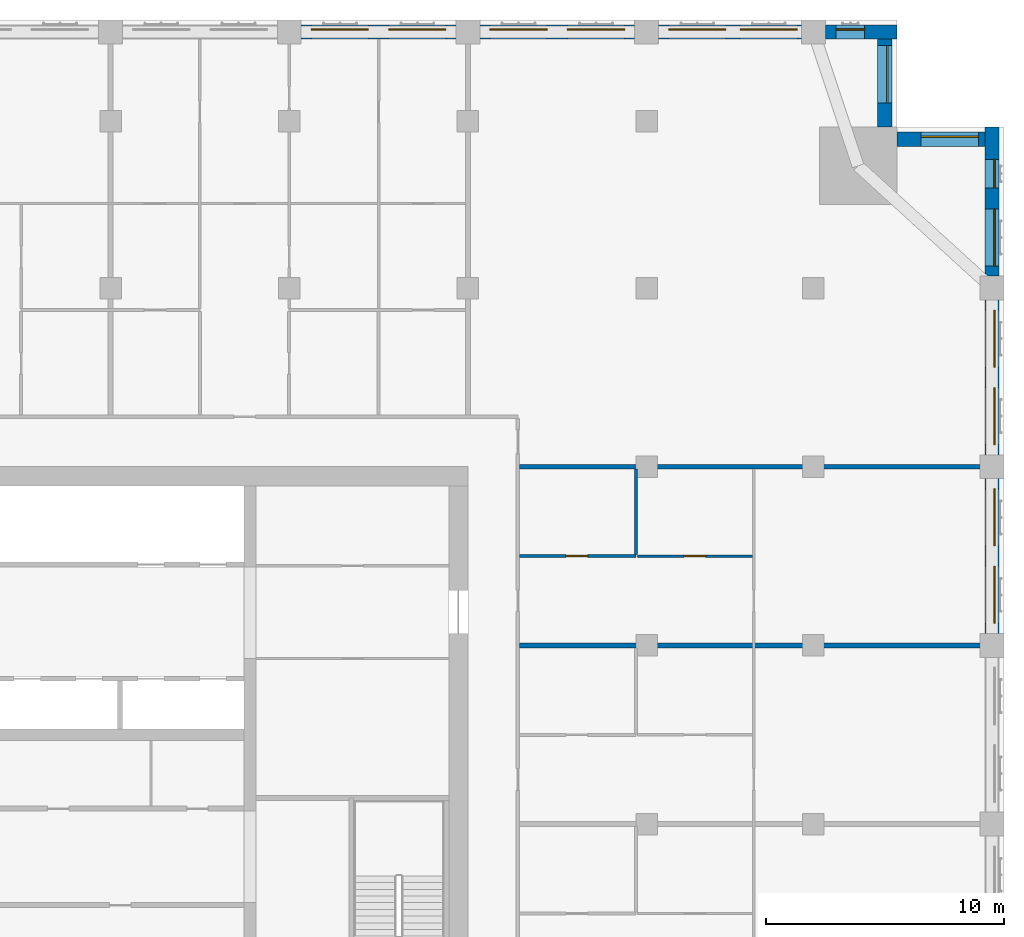
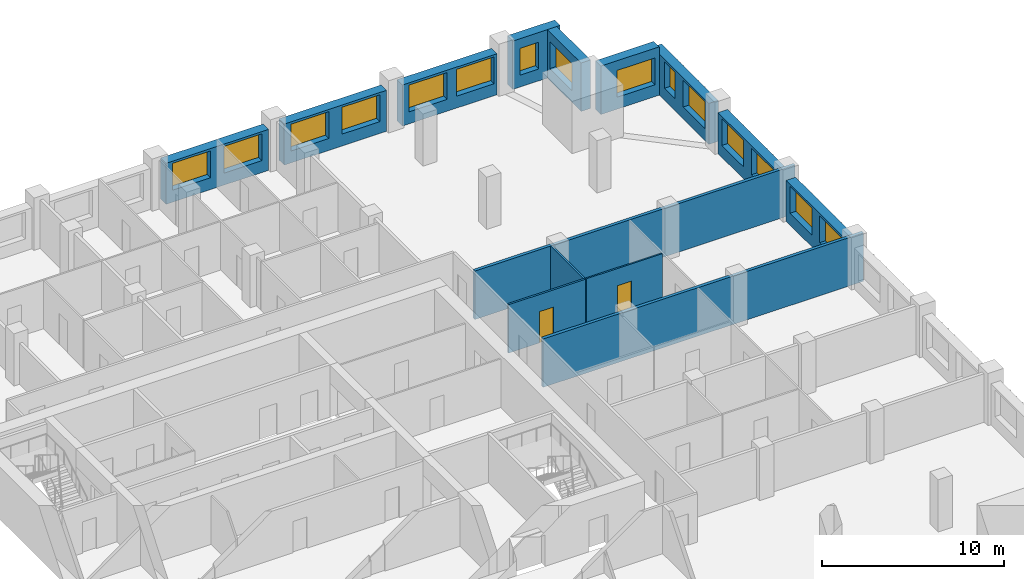
# One storey, part 11 of 14: 15 windows, 14 walls, 2 doors, 17 openings.
"""IFC4 building model written with IfcOpenShell, lengths in metres."""

from ifc_helpers import new_model, si_unit, direction, frame, frame_2d, origin, place, context, subcontext, project, spatial, rectangle, extrude, material, layer, layer_set, type_object, element, fill, save


model = new_model("IFC4")

# Units and contexts
model_context = context("Model", 3, precision=1e-05, world=origin(), true_north=direction((0.0, 1.0)))
body_context = subcontext(model_context, "Body", "Model", "MODEL_VIEW")
ifc_project = project(units=[si_unit("LENGTHUNIT", "METRE"), si_unit("AREAUNIT", "SQUARE_METRE"), si_unit("VOLUMEUNIT", "CUBIC_METRE"), si_unit("PLANEANGLEUNIT", "RADIAN"), si_unit("MASSUNIT", "GRAM", prefix="KILO")], contexts=[model_context])

# Site, building, storey
site_placement = place(None, origin())
site = spatial("IfcSite", under=ifc_project, at=site_placement, CompositionType="ELEMENT")
building_placement = place(site_placement, origin())
building = spatial("IfcBuilding", under=site, at=building_placement, Name="Tamorin Gate", CompositionType="ELEMENT")
storey_placement = place(building_placement, frame((0.0, 0.0, 189.699951171875)))
storey = spatial("IfcBuildingStorey", under=building, at=storey_placement, Name="L46", CompositionType="ELEMENT", Elevation=189.699951171875)

# Wall, openings, windows
ifc_material_1 = material(Name="Precast concrete C40/50", Category="concrete")
ifc_layer_1 = layer(ifc_material_1, 0.60009765625)
ifc_layer_set_1 = layer_set([ifc_layer_1], Name="Precast concrete C40/50")
wall_type_1 = type_object("IfcWallType", Name="Board-marked concrete facade panel 600", PredefinedType="SOLIDWALL", material=ifc_layer_set_1)
wall_1_placement = place(storey_placement, frame((82.0, 75.5, 0.0), z_axis=(0.0, 0.0, 1.0), x_axis=(0.0, 1.0, 0.0)))
wall_1 = element("IfcWall", 1, at=wall_1_placement, inside=storey, type_object=wall_type_1, Name="Facade panel", PredefinedType="SOLIDWALL", context=body_context, shape_type="SweptSolid", body=[
    extrude(rectangle(XDim=6.5, YDim=0.60009765625, at=frame_2d((3.25, 0.0))), origin(), (0.0, 0.0, 1.0), 2.75),
])
opening_1_placement = place(wall_1_placement, frame((0.425048828125, 0.0, 0.800048828125)))
opening_1 = element("IfcOpeningElement", 2, at=opening_1_placement, cuts=wall_1, Name="Opening WN1", PredefinedType="OPENING", context=body_context, shape_type="SweptSolid", body=[
    extrude(rectangle(XDim=2.39990234375, YDim=1.800048828125, at=frame_2d((1.199951171875, 0.89990234375))), frame((0.0, 0.31005859375, 0.0), z_axis=(0.0, -1.0, 0.0), x_axis=(1.0, 0.0, 0.0)), (0.0, 0.0, 1.0), 0.6201171875),
])
opening_2_placement = place(wall_1_placement, frame((3.675048828125, 0.0, 0.800048828125)))
opening_2 = element("IfcOpeningElement", 3, at=opening_2_placement, cuts=wall_1, Name="Opening WN1", PredefinedType="OPENING", context=body_context, shape_type="SweptSolid", body=[
    extrude(rectangle(XDim=2.39990234375, YDim=1.800048828125, at=frame_2d((1.199951171875, 0.89990234375))), frame((0.0, 0.31005859375, 0.0), z_axis=(0.0, -1.0, 0.0), x_axis=(1.0, 0.0, 0.0)), (0.0, 0.0, 1.0), 0.6201171875),
])
ifc_material_2 = material(Name="Clear glass in aluminium frame", Category="aluminium")
window_type_1 = type_object("IfcWindowType", Name="Deep-set window 2400x1800", PartitioningType="SINGLE_PANEL", PredefinedType="WINDOW", material=ifc_material_2)
window_1_placement = place(opening_1_placement, origin())
window_1 = element("IfcWindow", 4, at=window_1_placement, inside=storey, type_object=window_type_1, Name="Deep-set window", OverallHeight=1.800048828125, OverallWidth=2.39990234375, PartitioningType="SINGLE_PANEL", PredefinedType="WINDOW", context=body_context, shape_type="SweptSolid", body=[
    extrude(rectangle(XDim=2.39990234375, YDim=1.800048828125, at=frame_2d((1.199951171875, 0.89990234375))), frame((0.0, -0.070068359375, 0.0), z_axis=(0.0, -1.0, 0.0), x_axis=(1.0, 0.0, 0.0)), (0.0, 0.0, 1.0), 0.06005859375),
])
fill(opening_1, window_1)
window_2_placement = place(opening_2_placement, origin())
window_2 = element("IfcWindow", 5, at=window_2_placement, inside=storey, type_object=window_type_1, Name="Deep-set window", OverallHeight=1.800048828125, OverallWidth=2.39990234375, PartitioningType="SINGLE_PANEL", PredefinedType="WINDOW", context=body_context, shape_type="SweptSolid", body=[
    extrude(rectangle(XDim=2.39990234375, YDim=1.800048828125, at=frame_2d((1.199951171875, 0.89990234375))), frame((0.0, -0.070068359375, 0.0), z_axis=(0.0, -1.0, 0.0), x_axis=(1.0, 0.0, 0.0)), (0.0, 0.0, 1.0), 0.06005859375),
])
fill(opening_2, window_2)

wall_2_placement = place(storey_placement, frame((82.0, 83.0, 0.0), z_axis=(0.0, 0.0, 1.0), x_axis=(0.0, 1.0, 0.0)))
wall_2 = element("IfcWall", 6, at=wall_2_placement, inside=storey, type_object=wall_type_1, Name="Facade panel", PredefinedType="SOLIDWALL", context=body_context, shape_type="SweptSolid", body=[
    extrude(rectangle(XDim=6.5, YDim=0.60009765625, at=frame_2d((3.25, 0.0))), origin(), (0.0, 0.0, 1.0), 2.75),
])
opening_3_placement = place(wall_2_placement, frame((0.425048828125, 0.0, 0.800048828125)))
opening_3 = element("IfcOpeningElement", 7, at=opening_3_placement, cuts=wall_2, Name="Opening WN1", PredefinedType="OPENING", context=body_context, shape_type="SweptSolid", body=[
    extrude(rectangle(XDim=2.39990234375, YDim=1.800048828125, at=frame_2d((1.199951171875, 0.89990234375))), frame((0.0, 0.31005859375, 0.0), z_axis=(0.0, -1.0, 0.0), x_axis=(1.0, 0.0, 0.0)), (0.0, 0.0, 1.0), 0.6201171875),
])
opening_4_placement = place(wall_2_placement, frame((3.675048828125, 0.0, 0.800048828125)))
opening_4 = element("IfcOpeningElement", 8, at=opening_4_placement, cuts=wall_2, Name="Opening WN1", PredefinedType="OPENING", context=body_context, shape_type="SweptSolid", body=[
    extrude(rectangle(XDim=2.39990234375, YDim=1.800048828125, at=frame_2d((1.199951171875, 0.89990234375))), frame((0.0, 0.31005859375, 0.0), z_axis=(0.0, -1.0, 0.0), x_axis=(1.0, 0.0, 0.0)), (0.0, 0.0, 1.0), 0.6201171875),
])
window_3_placement = place(opening_3_placement, origin())
window_3 = element("IfcWindow", 9, at=window_3_placement, inside=storey, type_object=window_type_1, Name="Deep-set window", OverallHeight=1.800048828125, OverallWidth=2.39990234375, PartitioningType="SINGLE_PANEL", PredefinedType="WINDOW", context=body_context, shape_type="SweptSolid", body=[
    extrude(rectangle(XDim=2.39990234375, YDim=1.800048828125, at=frame_2d((1.199951171875, 0.89990234375))), frame((0.0, -0.070068359375, 0.0), z_axis=(0.0, -1.0, 0.0), x_axis=(1.0, 0.0, 0.0)), (0.0, 0.0, 1.0), 0.06005859375),
])
fill(opening_3, window_3)
window_4_placement = place(opening_4_placement, origin())
window_4 = element("IfcWindow", 10, at=window_4_placement, inside=storey, type_object=window_type_1, Name="Deep-set window", OverallHeight=1.800048828125, OverallWidth=2.39990234375, PartitioningType="SINGLE_PANEL", PredefinedType="WINDOW", context=body_context, shape_type="SweptSolid", body=[
    extrude(rectangle(XDim=2.39990234375, YDim=1.800048828125, at=frame_2d((1.199951171875, 0.89990234375))), frame((0.0, -0.070068359375, 0.0), z_axis=(0.0, -1.0, 0.0), x_axis=(1.0, 0.0, 0.0)), (0.0, 0.0, 1.0), 0.06005859375),
])
fill(opening_4, window_4)

wall_3_placement = place(storey_placement, frame((82.0, 90.5, 0.0), z_axis=(0.0, 0.0, 1.0), x_axis=(0.0, 1.0, 0.0)))
wall_3 = element("IfcWall", 11, at=wall_3_placement, inside=storey, type_object=wall_type_1, Name="Facade panel", PredefinedType="SOLIDWALL", context=body_context, shape_type="SweptSolid", body=[
    extrude(rectangle(XDim=6.25, YDim=0.60009765625, at=frame_2d((3.125, 0.0))), origin(), (0.0, 0.0, 1.0), 2.75),
])
opening_5_placement = place(wall_3_placement, frame((0.425048828125, 0.0, 0.800048828125)))
opening_5 = element("IfcOpeningElement", 12, at=opening_5_placement, cuts=wall_3, Name="Opening WN1", PredefinedType="OPENING", context=body_context, shape_type="SweptSolid", body=[
    extrude(rectangle(XDim=2.39990234375, YDim=1.800048828125, at=frame_2d((1.199951171875, 0.89990234375))), frame((0.0, 0.31005859375, 0.0), z_axis=(0.0, -1.0, 0.0), x_axis=(1.0, 0.0, 0.0)), (0.0, 0.0, 1.0), 0.6201171875),
])
opening_6_placement = place(wall_3_placement, frame((3.699951171875, 0.0, 0.800048828125)))
opening_6 = element("IfcOpeningElement", 13, at=opening_6_placement, cuts=wall_3, Name="Opening WN3", PredefinedType="OPENING", context=body_context, shape_type="SweptSolid", body=[
    extrude(rectangle(XDim=1.199951171875, YDim=1.800048828125, at=frame_2d((0.60009765625, 0.89990234375))), frame((0.0, 0.31005859375, 0.0), z_axis=(0.0, -1.0, 0.0), x_axis=(1.0, 0.0, 0.0)), (0.0, 0.0, 1.0), 0.6201171875),
])
window_type_2 = type_object("IfcWindowType", Name="Deep-set window 1200x1800", PartitioningType="SINGLE_PANEL", PredefinedType="WINDOW", material=ifc_material_2)
window_5_placement = place(opening_6_placement, origin())
window_5 = element("IfcWindow", 14, at=window_5_placement, inside=storey, type_object=window_type_2, Name="Deep-set window", OverallHeight=1.800048828125, OverallWidth=1.199951171875, PartitioningType="SINGLE_PANEL", PredefinedType="WINDOW", context=body_context, shape_type="SweptSolid", body=[
    extrude(rectangle(XDim=1.199951171875, YDim=1.800048828125, at=frame_2d((0.60009765625, 0.89990234375))), frame((0.0, -0.070068359375, 0.0), z_axis=(0.0, -1.0, 0.0), x_axis=(1.0, 0.0, 0.0)), (0.0, 0.0, 1.0), 0.06005859375),
])
fill(opening_6, window_5)
window_6_placement = place(opening_5_placement, origin())
window_6 = element("IfcWindow", 15, at=window_6_placement, inside=storey, type_object=window_type_1, Name="Deep-set window", OverallHeight=1.800048828125, OverallWidth=2.39990234375, PartitioningType="SINGLE_PANEL", PredefinedType="WINDOW", context=body_context, shape_type="SweptSolid", body=[
    extrude(rectangle(XDim=2.39990234375, YDim=1.800048828125, at=frame_2d((1.199951171875, 0.89990234375))), frame((0.0, -0.070068359375, 0.0), z_axis=(0.0, -1.0, 0.0), x_axis=(1.0, 0.0, 0.0)), (0.0, 0.0, 1.0), 0.06005859375),
])
fill(opening_5, window_6)

# Wall, opening, window
wall_4_placement = place(storey_placement, frame((81.699951171875, 96.25, 0.0), z_axis=(0.0, 0.0, 1.0), x_axis=(-1.0, 0.0, 0.0)))
wall_4 = element("IfcWall", 16, at=wall_4_placement, inside=storey, type_object=wall_type_1, Name="Facade panel", PredefinedType="SOLIDWALL", context=body_context, shape_type="SweptSolid", body=[
    extrude(rectangle(XDim=3.699951171875, YDim=0.60009765625, at=frame_2d((1.85009765625, 0.0))), origin(), (0.0, 0.0, 1.0), 3.25),
])
opening_7_placement = place(wall_4_placement, frame((0.27490234375, 0.0, 0.800048828125)))
opening_7 = element("IfcOpeningElement", 17, at=opening_7_placement, cuts=wall_4, Name="Opening WN1", PredefinedType="OPENING", context=body_context, shape_type="SweptSolid", body=[
    extrude(rectangle(XDim=2.39990234375, YDim=1.800048828125, at=frame_2d((1.199951171875, 0.89990234375))), frame((0.0, 0.31005859375, 0.0), z_axis=(0.0, -1.0, 0.0), x_axis=(1.0, 0.0, 0.0)), (0.0, 0.0, 1.0), 0.6201171875),
])
window_7_placement = place(opening_7_placement, origin())
window_7 = element("IfcWindow", 18, at=window_7_placement, inside=storey, type_object=window_type_1, Name="Deep-set window", OverallHeight=1.800048828125, OverallWidth=2.39990234375, PartitioningType="SINGLE_PANEL", PredefinedType="WINDOW", context=body_context, shape_type="SweptSolid", body=[
    extrude(rectangle(XDim=2.39990234375, YDim=1.800048828125, at=frame_2d((1.199951171875, 0.89990234375))), frame((0.0, -0.070068359375, 0.0), z_axis=(0.0, -1.0, 0.0), x_axis=(1.0, 0.0, 0.0)), (0.0, 0.0, 1.0), 0.06005859375),
])
fill(opening_7, window_7)

wall_5_placement = place(storey_placement, frame((77.5, 96.75, 0.0), z_axis=(0.0, 0.0, 1.0), x_axis=(0.0, 1.0, 0.0)))
wall_5 = element("IfcWall", 19, at=wall_5_placement, inside=storey, type_object=wall_type_1, Name="Facade panel", PredefinedType="SOLIDWALL", context=body_context, shape_type="SweptSolid", body=[
    extrude(rectangle(XDim=3.699951171875, YDim=0.60009765625, at=frame_2d((1.85009765625, 0.0))), origin(), (0.0, 0.0, 1.0), 3.25),
])
opening_8_placement = place(wall_5_placement, frame((1.02490234375, 0.0, 0.800048828125)))
opening_8 = element("IfcOpeningElement", 20, at=opening_8_placement, cuts=wall_5, Name="Opening WN1", PredefinedType="OPENING", context=body_context, shape_type="SweptSolid", body=[
    extrude(rectangle(XDim=2.39990234375, YDim=1.800048828125, at=frame_2d((1.199951171875, 0.89990234375))), frame((0.0, 0.31005859375, 0.0), z_axis=(0.0, -1.0, 0.0), x_axis=(1.0, 0.0, 0.0)), (0.0, 0.0, 1.0), 0.6201171875),
])
window_8_placement = place(opening_8_placement, origin())
window_8 = element("IfcWindow", 21, at=window_8_placement, inside=storey, type_object=window_type_1, Name="Deep-set window", OverallHeight=1.800048828125, OverallWidth=2.39990234375, PartitioningType="SINGLE_PANEL", PredefinedType="WINDOW", context=body_context, shape_type="SweptSolid", body=[
    extrude(rectangle(XDim=2.39990234375, YDim=1.800048828125, at=frame_2d((1.199951171875, 0.89990234375))), frame((0.0, -0.070068359375, 0.0), z_axis=(0.0, -1.0, 0.0), x_axis=(1.0, 0.0, 0.0)), (0.0, 0.0, 1.0), 0.06005859375),
])
fill(opening_8, window_8)

wall_6_placement = place(storey_placement, frame((78.0, 100.75, 0.0), z_axis=(0.0, 0.0, 1.0), x_axis=(-1.0, 0.0, 0.0)))
wall_6 = element("IfcWall", 22, at=wall_6_placement, inside=storey, type_object=wall_type_1, Name="Facade panel", PredefinedType="SOLIDWALL", context=body_context, shape_type="SweptSolid", body=[
    extrude(rectangle(XDim=3.0, YDim=0.60009765625, at=frame_2d((1.5, 0.0))), origin(), (0.0, 0.0, 1.0), 3.25),
])
opening_9_placement = place(wall_6_placement, frame((1.35009765625, 0.0, 0.800048828125)))
opening_9 = element("IfcOpeningElement", 23, at=opening_9_placement, cuts=wall_6, Name="Opening WN3", PredefinedType="OPENING", context=body_context, shape_type="SweptSolid", body=[
    extrude(rectangle(XDim=1.199951171875, YDim=1.800048828125, at=frame_2d((0.60009765625, 0.89990234375))), frame((0.0, 0.31005859375, 0.0), z_axis=(0.0, -1.0, 0.0), x_axis=(1.0, 0.0, 0.0)), (0.0, 0.0, 1.0), 0.6201171875),
])
window_9_placement = place(opening_9_placement, origin())
window_9 = element("IfcWindow", 24, at=window_9_placement, inside=storey, type_object=window_type_2, Name="Deep-set window", OverallHeight=1.800048828125, OverallWidth=1.199951171875, PartitioningType="SINGLE_PANEL", PredefinedType="WINDOW", context=body_context, shape_type="SweptSolid", body=[
    extrude(rectangle(XDim=1.199951171875, YDim=1.800048828125, at=frame_2d((0.60009765625, 0.89990234375))), frame((0.0, -0.070068359375, 0.0), z_axis=(0.0, -1.0, 0.0), x_axis=(1.0, 0.0, 0.0)), (0.0, 0.0, 1.0), 0.06005859375),
])
fill(opening_9, window_9)

# Wall, openings, windows
wall_7_placement = place(storey_placement, frame((74.0, 100.75, 0.0), z_axis=(0.0, 0.0, 1.0), x_axis=(-1.0, 0.0, 0.0)))
wall_7 = element("IfcWall", 25, at=wall_7_placement, inside=storey, type_object=wall_type_1, Name="Facade panel", PredefinedType="SOLIDWALL", context=body_context, shape_type="SweptSolid", body=[
    extrude(rectangle(XDim=6.0, YDim=0.60009765625, at=frame_2d((3.0, 0.0))), origin(), (0.0, 0.0, 1.0), 2.75),
])
opening_10_placement = place(wall_7_placement, frame((3.175048828125, 0.0, 0.800048828125)))
opening_10 = element("IfcOpeningElement", 26, at=opening_10_placement, cuts=wall_7, Name="Opening WN1", PredefinedType="OPENING", context=body_context, shape_type="SweptSolid", body=[
    extrude(rectangle(XDim=2.39990234375, YDim=1.800048828125, at=frame_2d((1.199951171875, 0.89990234375))), frame((0.0, 0.31005859375, 0.0), z_axis=(0.0, -1.0, 0.0), x_axis=(1.0, 0.0, 0.0)), (0.0, 0.0, 1.0), 0.6201171875),
])
opening_11_placement = place(wall_7_placement, frame((0.175048828125, 0.0, 0.800048828125)))
opening_11 = element("IfcOpeningElement", 27, at=opening_11_placement, cuts=wall_7, Name="Opening WN1", PredefinedType="OPENING", context=body_context, shape_type="SweptSolid", body=[
    extrude(rectangle(XDim=2.39990234375, YDim=1.800048828125, at=frame_2d((1.199951171875, 0.89990234375))), frame((0.0, 0.31005859375, 0.0), z_axis=(0.0, -1.0, 0.0), x_axis=(1.0, 0.0, 0.0)), (0.0, 0.0, 1.0), 0.6201171875),
])
window_10_placement = place(opening_10_placement, origin())
window_10 = element("IfcWindow", 28, at=window_10_placement, inside=storey, type_object=window_type_1, Name="Deep-set window", OverallHeight=1.800048828125, OverallWidth=2.39990234375, PartitioningType="SINGLE_PANEL", PredefinedType="WINDOW", context=body_context, shape_type="SweptSolid", body=[
    extrude(rectangle(XDim=2.39990234375, YDim=1.800048828125, at=frame_2d((1.199951171875, 0.89990234375))), frame((0.0, -0.070068359375, 0.0), z_axis=(0.0, -1.0, 0.0), x_axis=(1.0, 0.0, 0.0)), (0.0, 0.0, 1.0), 0.06005859375),
])
fill(opening_10, window_10)
window_11_placement = place(opening_11_placement, origin())
window_11 = element("IfcWindow", 29, at=window_11_placement, inside=storey, type_object=window_type_1, Name="Deep-set window", OverallHeight=1.800048828125, OverallWidth=2.39990234375, PartitioningType="SINGLE_PANEL", PredefinedType="WINDOW", context=body_context, shape_type="SweptSolid", body=[
    extrude(rectangle(XDim=2.39990234375, YDim=1.800048828125, at=frame_2d((1.199951171875, 0.89990234375))), frame((0.0, -0.070068359375, 0.0), z_axis=(0.0, -1.0, 0.0), x_axis=(1.0, 0.0, 0.0)), (0.0, 0.0, 1.0), 0.06005859375),
])
fill(opening_11, window_11)

wall_8_placement = place(storey_placement, frame((67.0, 100.75, 0.0), z_axis=(0.0, 0.0, 1.0), x_axis=(-1.0, 0.0, 0.0)))
wall_8 = element("IfcWall", 30, at=wall_8_placement, inside=storey, type_object=wall_type_1, Name="Facade panel", PredefinedType="SOLIDWALL", context=body_context, shape_type="SweptSolid", body=[
    extrude(rectangle(XDim=6.5, YDim=0.60009765625, at=frame_2d((3.25, 0.0))), origin(), (0.0, 0.0, 1.0), 2.75),
])
opening_12_placement = place(wall_8_placement, frame((3.675048828125, 0.0, 0.800048828125)))
opening_12 = element("IfcOpeningElement", 31, at=opening_12_placement, cuts=wall_8, Name="Opening WN1", PredefinedType="OPENING", context=body_context, shape_type="SweptSolid", body=[
    extrude(rectangle(XDim=2.39990234375, YDim=1.800048828125, at=frame_2d((1.199951171875, 0.89990234375))), frame((0.0, 0.31005859375, 0.0), z_axis=(0.0, -1.0, 0.0), x_axis=(1.0, 0.0, 0.0)), (0.0, 0.0, 1.0), 0.6201171875),
])
opening_13_placement = place(wall_8_placement, frame((0.425048828125, 0.0, 0.800048828125)))
opening_13 = element("IfcOpeningElement", 32, at=opening_13_placement, cuts=wall_8, Name="Opening WN1", PredefinedType="OPENING", context=body_context, shape_type="SweptSolid", body=[
    extrude(rectangle(XDim=2.39990234375, YDim=1.800048828125, at=frame_2d((1.199951171875, 0.89990234375))), frame((0.0, 0.31005859375, 0.0), z_axis=(0.0, -1.0, 0.0), x_axis=(1.0, 0.0, 0.0)), (0.0, 0.0, 1.0), 0.6201171875),
])
window_12_placement = place(opening_12_placement, origin())
window_12 = element("IfcWindow", 33, at=window_12_placement, inside=storey, type_object=window_type_1, Name="Deep-set window", OverallHeight=1.800048828125, OverallWidth=2.39990234375, PartitioningType="SINGLE_PANEL", PredefinedType="WINDOW", context=body_context, shape_type="SweptSolid", body=[
    extrude(rectangle(XDim=2.39990234375, YDim=1.800048828125, at=frame_2d((1.199951171875, 0.89990234375))), frame((0.0, -0.070068359375, 0.0), z_axis=(0.0, -1.0, 0.0), x_axis=(1.0, 0.0, 0.0)), (0.0, 0.0, 1.0), 0.06005859375),
])
fill(opening_12, window_12)
window_13_placement = place(opening_13_placement, origin())
window_13 = element("IfcWindow", 34, at=window_13_placement, inside=storey, type_object=window_type_1, Name="Deep-set window", OverallHeight=1.800048828125, OverallWidth=2.39990234375, PartitioningType="SINGLE_PANEL", PredefinedType="WINDOW", context=body_context, shape_type="SweptSolid", body=[
    extrude(rectangle(XDim=2.39990234375, YDim=1.800048828125, at=frame_2d((1.199951171875, 0.89990234375))), frame((0.0, -0.070068359375, 0.0), z_axis=(0.0, -1.0, 0.0), x_axis=(1.0, 0.0, 0.0)), (0.0, 0.0, 1.0), 0.06005859375),
])
fill(opening_13, window_13)

wall_9_placement = place(storey_placement, frame((59.5, 100.75, 0.0), z_axis=(0.0, 0.0, 1.0), x_axis=(-1.0, 0.0, 0.0)))
wall_9 = element("IfcWall", 35, at=wall_9_placement, inside=storey, type_object=wall_type_1, Name="Facade panel", PredefinedType="SOLIDWALL", context=body_context, shape_type="SweptSolid", body=[
    extrude(rectangle(XDim=6.5, YDim=0.60009765625, at=frame_2d((3.25, 0.0))), origin(), (0.0, 0.0, 1.0), 2.75),
])
opening_14_placement = place(wall_9_placement, frame((3.675048828125, 0.0, 0.800048828125)))
opening_14 = element("IfcOpeningElement", 36, at=opening_14_placement, cuts=wall_9, Name="Opening WN1", PredefinedType="OPENING", context=body_context, shape_type="SweptSolid", body=[
    extrude(rectangle(XDim=2.39990234375, YDim=1.800048828125, at=frame_2d((1.199951171875, 0.89990234375))), frame((0.0, 0.31005859375, 0.0), z_axis=(0.0, -1.0, 0.0), x_axis=(1.0, 0.0, 0.0)), (0.0, 0.0, 1.0), 0.6201171875),
])
opening_15_placement = place(wall_9_placement, frame((0.425048828125, 0.0, 0.800048828125)))
opening_15 = element("IfcOpeningElement", 37, at=opening_15_placement, cuts=wall_9, Name="Opening WN1", PredefinedType="OPENING", context=body_context, shape_type="SweptSolid", body=[
    extrude(rectangle(XDim=2.39990234375, YDim=1.800048828125, at=frame_2d((1.199951171875, 0.89990234375))), frame((0.0, 0.31005859375, 0.0), z_axis=(0.0, -1.0, 0.0), x_axis=(1.0, 0.0, 0.0)), (0.0, 0.0, 1.0), 0.6201171875),
])
window_14_placement = place(opening_14_placement, origin())
window_14 = element("IfcWindow", 38, at=window_14_placement, inside=storey, type_object=window_type_1, Name="Deep-set window", OverallHeight=1.800048828125, OverallWidth=2.39990234375, PartitioningType="SINGLE_PANEL", PredefinedType="WINDOW", context=body_context, shape_type="SweptSolid", body=[
    extrude(rectangle(XDim=2.39990234375, YDim=1.800048828125, at=frame_2d((1.199951171875, 0.89990234375))), frame((0.0, -0.070068359375, 0.0), z_axis=(0.0, -1.0, 0.0), x_axis=(1.0, 0.0, 0.0)), (0.0, 0.0, 1.0), 0.06005859375),
])
fill(opening_14, window_14)
window_15_placement = place(opening_15_placement, origin())
window_15 = element("IfcWindow", 39, at=window_15_placement, inside=storey, type_object=window_type_1, Name="Deep-set window", OverallHeight=1.800048828125, OverallWidth=2.39990234375, PartitioningType="SINGLE_PANEL", PredefinedType="WINDOW", context=body_context, shape_type="SweptSolid", body=[
    extrude(rectangle(XDim=2.39990234375, YDim=1.800048828125, at=frame_2d((1.199951171875, 0.89990234375))), frame((0.0, -0.070068359375, 0.0), z_axis=(0.0, -1.0, 0.0), x_axis=(1.0, 0.0, 0.0)), (0.0, 0.0, 1.0), 0.06005859375),
])
fill(opening_15, window_15)

# Walls
ifc_material_3 = material(Name="Gypsum board partition")
ifc_layer_2 = layer(ifc_material_3, 0.199951171875)
ifc_layer_set_2 = layer_set([ifc_layer_2], Name="Demising wall 200")
wall_type_2 = type_object("IfcWallType", Name="Demising wall 200", PredefinedType="PARTITIONING", material=ifc_layer_set_2)
for number, where, z_axis, x_axis, name in (
    (40, (62.175048828125, 75.0, 0.0), (0.0, 0.0, 1.0), (1.0, 0.0, 0.0), "Demising wall 200"),
    (41, (62.175048828125, 82.5, 0.0), (0.0, 0.0, 1.0), (1.0, 0.0, 0.0), "Demising wall 200"),
):
    element("IfcWall", number, at=place(storey_placement, frame(where, z_axis=z_axis, x_axis=x_axis)), inside=storey, type_object=wall_type_2, Name=name, PredefinedType="PARTITIONING", context=body_context, shape_type="SweptSolid", body=[
        extrude(rectangle(XDim=20.324951171875, YDim=0.199951171875, at=frame_2d((10.16259765625, 0.0))), origin(), (0.0, 0.0, 1.0), 3.25),
    ])

# Wall, opening, door
ifc_layer_3 = layer(ifc_material_3, 0.10009765625)
ifc_layer_set_3 = layer_set([ifc_layer_3], Name="Room partition 100")
wall_type_3 = type_object("IfcWallType", Name="Room partition 100", PredefinedType="PARTITIONING", material=ifc_layer_set_3)
wall_10_placement = place(storey_placement, frame((67.112548828125, 78.75, 0.0), z_axis=(0.0, 0.0, 1.0), x_axis=(1.0, 0.0, 0.0)))
wall_10 = element("IfcWall", 42, at=wall_10_placement, inside=storey, type_object=wall_type_3, Name="Room partition 100", PredefinedType="PARTITIONING", context=body_context, shape_type="SweptSolid", body=[
    extrude(rectangle(XDim=4.83740234375, YDim=0.10009765625, at=frame_2d((2.418701171875, 0.0))), origin(), (0.0, 0.0, 1.0), 3.25),
])
opening_16_placement = place(wall_10_placement, frame((1.96240234375, 0.0, 0.0)))
opening_16 = element("IfcOpeningElement", 43, at=opening_16_placement, cuts=wall_10, Name="Opening DR4041", PredefinedType="OPENING", context=body_context, shape_type="SweptSolid", body=[
    extrude(rectangle(XDim=0.89990234375, YDim=2.10009765625, at=frame_2d((0.449951171875, 1.050048828125))), frame((0.0, 0.06005859375, 0.0), z_axis=(0.0, -1.0, 0.0), x_axis=(1.0, 0.0, 0.0)), (0.0, 0.0, 1.0), 0.1201171875),
])
ifc_material_4 = material(Name="Timber door leaf", Category="wood")
door_type = type_object("IfcDoorType", Name="Door 900 x 2100", OperationType="NOTDEFINED", PredefinedType="DOOR", material=ifc_material_4)
door_1_placement = place(opening_16_placement, origin())
door_1 = element("IfcDoor", 44, at=door_1_placement, inside=storey, type_object=door_type, Name="Door DR4041", OperationType="SINGLE_SWING_LEFT", OverallHeight=2.10009765625, OverallWidth=0.89990234375, PredefinedType="DOOR", context=body_context, shape_type="SweptSolid", body=[
    extrude(rectangle(XDim=0.89990234375, YDim=2.10009765625, at=frame_2d((0.449951171875, 1.050048828125))), frame((0.0, 0.02490234375, 0.0), z_axis=(0.0, -1.0, 0.0), x_axis=(1.0, 0.0, 0.0)), (0.0, 0.0, 1.0), 0.050048828125),
])
fill(opening_16, door_1)

ifc_layer_4 = layer(ifc_material_3, 0.125)
ifc_layer_set_4 = layer_set([ifc_layer_4], Name="Wet wall 125")
wall_type_4 = type_object("IfcWallType", Name="Wet wall 125", PredefinedType="PARTITIONING", material=ifc_layer_set_4)
wall_11_placement = place(storey_placement, frame((62.175048828125, 78.75, 0.0), z_axis=(0.0, 0.0, 1.0), x_axis=(1.0, 0.0, 0.0)))
wall_11 = element("IfcWall", 45, at=wall_11_placement, inside=storey, type_object=wall_type_4, Name="Wet wall 125", PredefinedType="PARTITIONING", context=body_context, shape_type="SweptSolid", body=[
    extrude(rectangle(XDim=4.875, YDim=0.125, at=frame_2d((2.4375, 0.0))), origin(), (0.0, 0.0, 1.0), 3.25),
])
opening_17_placement = place(wall_11_placement, frame((1.949951171875, 0.0, 0.0)))
opening_17 = element("IfcOpeningElement", 46, at=opening_17_placement, cuts=wall_11, Name="Opening DR4042", PredefinedType="OPENING", context=body_context, shape_type="SweptSolid", body=[
    extrude(rectangle(XDim=0.89990234375, YDim=2.10009765625, at=frame_2d((0.449951171875, 1.050048828125))), frame((0.0, 0.072509765625, 0.0), z_axis=(0.0, -1.0, 0.0), x_axis=(1.0, 0.0, 0.0)), (0.0, 0.0, 1.0), 0.14501953125),
])
door_2_placement = place(opening_17_placement, origin())
door_2 = element("IfcDoor", 47, at=door_2_placement, inside=storey, type_object=door_type, Name="Door DR4042", OperationType="SINGLE_SWING_RIGHT", OverallHeight=2.10009765625, OverallWidth=0.89990234375, PredefinedType="DOOR", context=body_context, shape_type="SweptSolid", body=[
    extrude(rectangle(XDim=0.89990234375, YDim=2.10009765625, at=frame_2d((0.449951171875, 1.050048828125))), frame((0.0, 0.02490234375, 0.0), z_axis=(0.0, -1.0, 0.0), x_axis=(1.0, 0.0, 0.0)), (0.0, 0.0, 1.0), 0.050048828125),
])
fill(opening_17, door_2)

# Wall
wall_12_placement = place(storey_placement, frame((67.050048828125, 78.8125, 0.0), z_axis=(0.0, 0.0, 1.0), x_axis=(0.0, 1.0, 0.0)))
element("IfcWall", 48, at=wall_12_placement, inside=storey, type_object=wall_type_4, Name="Wet wall 125", PredefinedType="PARTITIONING", context=body_context, shape_type="SweptSolid", body=[
    extrude(rectangle(XDim=3.58740234375, YDim=0.125, at=frame_2d((1.793701171875, 0.0))), origin(), (0.0, 0.0, 1.0), 3.25),
])

save(model, "model.ifc")
